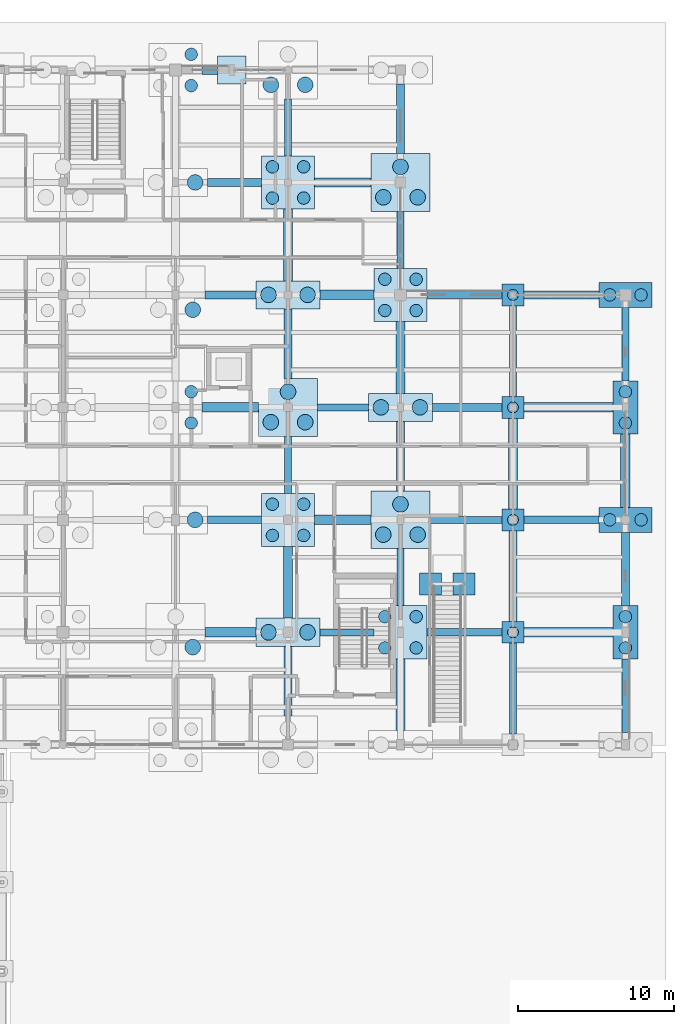
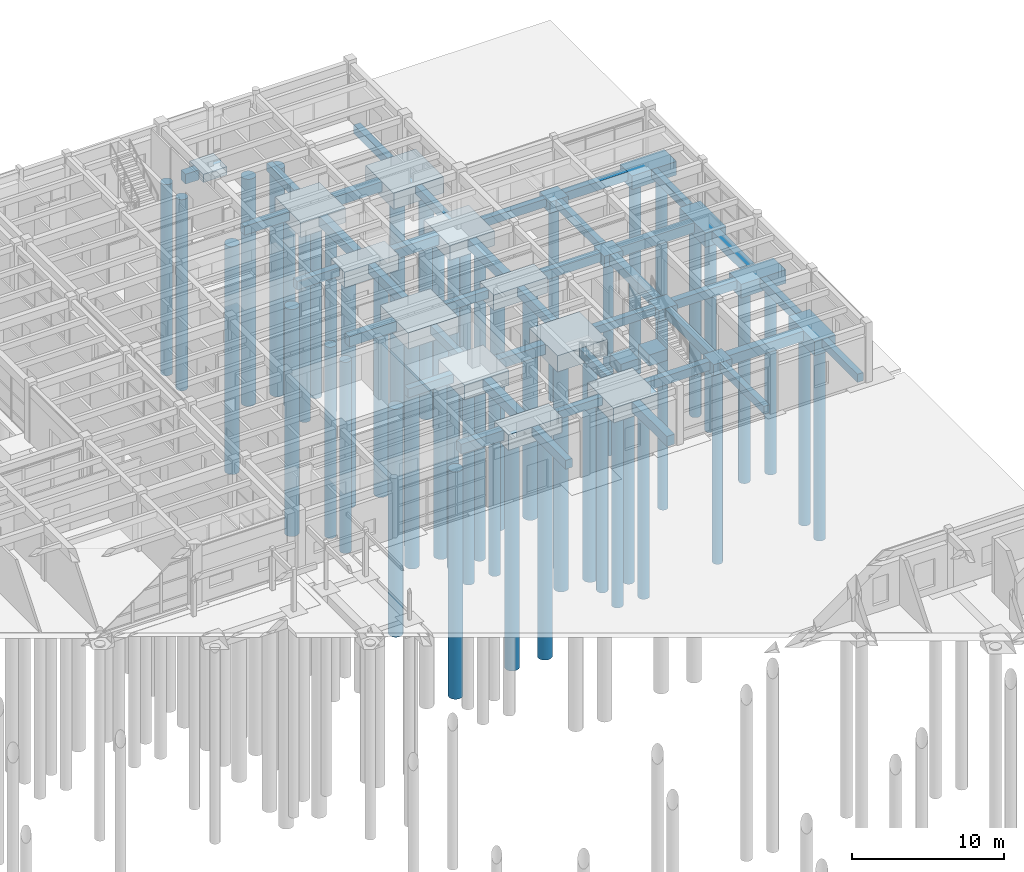
# One storey, part 12 of 143: 60 footings, 53 piles.
"""IFC4 building model written with IfcOpenShell, lengths in metres."""

from ifc_helpers import new_model, si_unit, direction, frame, origin, origin_2d, place, context, subcontext, project, spatial, rectangle, circle, extrude, material, material_profile, profile_set, type_object, element, save


model = new_model("IFC4")

# Units and contexts
model_context = context("Model", 3, precision=1e-05, world=origin(), true_north=direction((0.0, 1.0)))
body_context = subcontext(model_context, "Body", "Model", "MODEL_VIEW")
ifc_project = project(units=[si_unit("LENGTHUNIT", "METRE"), si_unit("AREAUNIT", "SQUARE_METRE"), si_unit("VOLUMEUNIT", "CUBIC_METRE"), si_unit("PLANEANGLEUNIT", "RADIAN"), si_unit("MASSUNIT", "GRAM", prefix="KILO")], contexts=[model_context])

# Site, building, storey
site_placement = place(None, origin())
site = spatial("IfcSite", under=ifc_project, at=site_placement, CompositionType="ELEMENT")
building_placement = place(site_placement, origin())
building = spatial("IfcBuilding", under=site, at=building_placement, Name="Steenspoor Specialist Clinic", CompositionType="ELEMENT")
storey_placement = place(building_placement, origin())
storey = spatial("IfcBuildingStorey", under=building, at=storey_placement, Name="L00", CompositionType="ELEMENT", Elevation=0.0)

# Footings
ifc_material = material(Name="Concrete C35/45", Category="concrete")
footing_type_1 = type_object("IfcFootingType", Name="FTG-PAD-180", PredefinedType="PAD_FOOTING", material=ifc_material)
footing_1_placement = place(storey_placement, frame((136.0, 108.35009765625, -0.64990234375), z_axis=(0.0, 0.0, 1.0), x_axis=(1.0, 0.0, 0.0)))
element("IfcFooting", 1, at=footing_1_placement, inside=storey, type_object=footing_type_1, Name="Pad Footing FTG-PAD-077", PredefinedType="PAD_FOOTING", context=body_context, shape_type="SweptSolid", body=[
    extrude(rectangle(XDim=1.800048828125, YDim=1.800048828125, at=origin_2d()), origin(), (0.0, 0.0, 1.0), 0.64990234375),
])
footing_type_2 = type_object("IfcFootingType", Name="FTG-PC-1P-700", PredefinedType="PILE_CAP", material=ifc_material)
for number, where, z_axis, x_axis, name in (
    (2, (154.0, 72.35009765625, -0.89990234375), (0.0, 0.0, 1.0), (1.0, 0.0, 0.0), "Pile Cap FTG-PC-228"),
    (3, (154.0, 79.550048828125, -0.89990234375), (0.0, 0.0, 1.0), (1.0, 0.0, 0.0), "Pile Cap FTG-PC-229"),
    (4, (154.0, 86.75, -0.89990234375), (0.0, 0.0, 1.0), (1.0, 0.0, 0.0), "Pile Cap FTG-PC-230"),
    (5, (154.0, 93.949951171875, -0.89990234375), (0.0, 0.0, 1.0), (1.0, 0.0, 0.0), "Pile Cap FTG-PC-231"),
    (6, (148.72509765625, 75.449951171875, -0.89990234375), (0.0, 0.0, 1.0), (1.0, 0.0, 0.0), "Feature Stair Pad ST-F04 L"),
    (7, (150.875, 75.449951171875, -0.89990234375), (0.0, 0.0, 1.0), (1.0, 0.0, 0.0), "Feature Stair Pad ST-F04 R"),
):
    element("IfcFooting", number, at=place(storey_placement, frame(where, z_axis=z_axis, x_axis=x_axis)), inside=storey, type_object=footing_type_2, Name=name, PredefinedType="PILE_CAP", context=body_context, shape_type="SweptSolid", body=[
        extrude(rectangle(XDim=1.39990234375, YDim=1.39990234375, at=origin_2d()), origin(), (0.0, 0.0, 1.0), 0.89990234375),
    ])
footing_type_3 = type_object("IfcFootingType", Name="FTG-PC-2P-1000", PredefinedType="PILE_CAP", material=ifc_material)
for number, where, z_axis, x_axis, name in (
    (8, (139.60009765625, 72.35009765625, -1.25), (0.0, 0.0, 1.0), (1.0, 0.0, 0.0), "Pile Cap FTG-PC-214"),
    (9, (139.60009765625, 93.949951171875, -1.25), (0.0, 0.0, 1.0), (1.0, 0.0, 0.0), "Pile Cap FTG-PC-217"),
    (10, (146.800048828125, 86.75, -1.25), (0.0, 0.0, 1.0), (1.0, 0.0, 0.0), "Pile Cap FTG-PC-223"),
):
    element("IfcFooting", number, at=place(storey_placement, frame(where, z_axis=z_axis, x_axis=x_axis)), inside=storey, type_object=footing_type_3, Name=name, PredefinedType="PILE_CAP", context=body_context, shape_type="SweptSolid", body=[
        extrude(rectangle(XDim=4.10009765625, YDim=1.800048828125, at=origin_2d()), origin(), (0.0, 0.0, 1.0), 1.25),
    ])
footing_type_4 = type_object("IfcFootingType", Name="FTG-PC-2P-800X", PredefinedType="PILE_CAP", material=ifc_material)
for number, where, z_axis, x_axis, name in (
    (11, (161.199951171875, 79.550048828125, -1.10009765625), (0.0, 0.0, 1.0), (1.0, 0.0, 0.0), "Pile Cap FTG-PC-234"),
    (12, (161.199951171875, 93.949951171875, -1.10009765625), (0.0, 0.0, 1.0), (1.0, 0.0, 0.0), "Pile Cap FTG-PC-236"),
):
    element("IfcFooting", number, at=place(storey_placement, frame(where, z_axis=z_axis, x_axis=x_axis)), inside=storey, type_object=footing_type_4, Name=name, PredefinedType="PILE_CAP", context=body_context, shape_type="SweptSolid", body=[
        extrude(rectangle(XDim=3.39990234375, YDim=1.60009765625, at=origin_2d()), origin(), (0.0, 0.0, 1.0), 1.10009765625),
    ])
footing_type_5 = type_object("IfcFootingType", Name="FTG-PC-2P-800Y", PredefinedType="PILE_CAP", material=ifc_material)
for number, where, z_axis, x_axis, name in (
    (13, (161.199951171875, 72.35009765625, -1.14990234375), (0.0, 0.0, 1.0), (1.0, 0.0, 0.0), "Pile Cap FTG-PC-233"),
    (14, (161.199951171875, 86.75, -1.14990234375), (0.0, 0.0, 1.0), (1.0, 0.0, 0.0), "Pile Cap FTG-PC-235"),
):
    element("IfcFooting", number, at=place(storey_placement, frame(where, z_axis=z_axis, x_axis=x_axis)), inside=storey, type_object=footing_type_5, Name=name, PredefinedType="PILE_CAP", context=body_context, shape_type="SweptSolid", body=[
        extrude(rectangle(XDim=1.60009765625, YDim=3.39990234375, at=origin_2d()), origin(), (0.0, 0.0, 1.0), 1.14990234375),
    ])
footing_type_6 = type_object("IfcFootingType", Name="FTG-PC-3P-1000", PredefinedType="PILE_CAP", material=ifc_material)
for number, where, z_axis, x_axis, name in (
    (15, (139.60009765625, 86.75, -1.2998046875), (0.0, 0.0, 1.0), (1.0, 0.0, 0.0), "Pile Cap FTG-PC-216"),
    (16, (146.800048828125, 79.550048828125, -1.2998046875), (0.0, 0.0, 1.0), (1.0, 0.0, 0.0), "Pile Cap FTG-PC-222"),
    (17, (146.800048828125, 101.14990234375, -1.2998046875), (0.0, 0.0, 1.0), (1.0, 0.0, 0.0), "Pile Cap FTG-PC-225"),
):
    element("IfcFooting", number, at=place(storey_placement, frame(where, z_axis=z_axis, x_axis=x_axis)), inside=storey, type_object=footing_type_6, Name=name, PredefinedType="PILE_CAP", context=body_context, shape_type="SweptSolid", body=[
        extrude(rectangle(XDim=3.800048828125, YDim=3.699951171875, at=origin_2d()), origin(), (0.0, 0.0, 1.0), 1.300048828125),
    ])
footing_type_7 = type_object("IfcFootingType", Name="FTG-PC-4P-800", PredefinedType="PILE_CAP", material=ifc_material)
for number, where, z_axis, x_axis, name in (
    (18, (139.60009765625, 79.550048828125, -1.2001953125), (0.0, 0.0, 1.0), (1.0, 0.0, 0.0), "Pile Cap FTG-PC-215"),
    (19, (139.60009765625, 101.14990234375, -1.2001953125), (0.0, 0.0, 1.0), (1.0, 0.0, 0.0), "Pile Cap FTG-PC-218"),
    (20, (146.800048828125, 72.35009765625, -1.2001953125), (0.0, 0.0, 1.0), (1.0, 0.0, 0.0), "Pile Cap FTG-PC-221"),
    (21, (146.800048828125, 93.949951171875, -1.2001953125), (0.0, 0.0, 1.0), (1.0, 0.0, 0.0), "Pile Cap FTG-PC-224"),
):
    element("IfcFooting", number, at=place(storey_placement, frame(where, z_axis=z_axis, x_axis=x_axis)), inside=storey, type_object=footing_type_7, Name=name, PredefinedType="PILE_CAP", context=body_context, shape_type="SweptSolid", body=[
        extrude(rectangle(XDim=3.39990234375, YDim=3.39990234375, at=origin_2d()), origin(), (0.0, 0.0, 1.0), 1.199951171875),
    ])
footing_type_8 = type_object("IfcFootingType", Name="FTG-TB-450X650", PredefinedType="FOOTING_BEAM", material=ifc_material)
footing_2_placement = place(storey_placement, frame((143.375, 72.35009765625, -0.64990234375), z_axis=(0.0, 0.0, 1.0), x_axis=(1.0, 0.0, 0.0)))
element("IfcFooting", 22, at=footing_2_placement, inside=storey, type_object=footing_type_8, Name="Seismic Tie Beam FTG-TB-167", PredefinedType="FOOTING_BEAM", context=body_context, shape_type="SweptSolid", body=[
    extrude(rectangle(XDim=3.449951171875, YDim=0.449951171875, at=origin_2d()), origin(), (0.0, 0.0, 1.0), 0.64990234375),
])
footing_3_placement = place(storey_placement, frame((151.0, 79.550048828125, -0.64990234375), z_axis=(0.0, 0.0, 1.0), x_axis=(1.0, 0.0, 0.0)))
element("IfcFooting", 23, at=footing_3_placement, inside=storey, type_object=footing_type_8, Name="Seismic Tie Beam FTG-TB-188", PredefinedType="FOOTING_BEAM", context=body_context, shape_type="SweptSolid", body=[
    extrude(rectangle(XDim=4.60009765625, YDim=0.449951171875, at=origin_2d()), origin(), (0.0, 0.0, 1.0), 0.64990234375),
])
footing_4_placement = place(storey_placement, frame((143.125, 86.75, -0.64990234375), z_axis=(0.0, 0.0, 1.0), x_axis=(1.0, 0.0, 0.0)))
element("IfcFooting", 24, at=footing_4_placement, inside=storey, type_object=footing_type_8, Name="Seismic Tie Beam FTG-TB-203", PredefinedType="FOOTING_BEAM", context=body_context, shape_type="SweptSolid", body=[
    extrude(rectangle(XDim=3.25, YDim=0.449951171875, at=origin_2d()), origin(), (0.0, 0.0, 1.0), 0.64990234375),
])
footing_5_placement = place(storey_placement, frame((150.89990234375, 93.949951171875, -0.64990234375), z_axis=(0.0, 0.0, 1.0), x_axis=(1.0, 0.0, 0.0)))
element("IfcFooting", 25, at=footing_5_placement, inside=storey, type_object=footing_type_8, Name="Seismic Tie Beam FTG-TB-224", PredefinedType="FOOTING_BEAM", context=body_context, shape_type="SweptSolid", body=[
    extrude(rectangle(XDim=4.800048828125, YDim=0.449951171875, at=origin_2d()), origin(), (0.0, 0.0, 1.0), 0.64990234375),
])
for number, where, z_axis, x_axis, name in (
    (26, (139.60009765625, 83.074951171875, -0.64990234375), (0.0, 0.0, 1.0), (1.0, 0.0, 0.0), "Seismic Tie Beam FTG-TB-443"),
    (27, (139.60009765625, 104.675048828125, -0.64990234375), (0.0, 0.0, 1.0), (1.0, 0.0, 0.0), "Seismic Tie Beam FTG-TB-446"),
    (28, (146.800048828125, 75.875, -0.64990234375), (0.0, 0.0, 1.0), (1.0, 0.0, 0.0), "Seismic Tie Beam FTG-TB-452"),
    (29, (146.800048828125, 97.47509765625, -0.64990234375), (0.0, 0.0, 1.0), (1.0, 0.0, 0.0), "Seismic Tie Beam FTG-TB-455"),
):
    element("IfcFooting", number, at=place(storey_placement, frame(where, z_axis=z_axis, x_axis=x_axis)), inside=storey, type_object=footing_type_8, Name=name, PredefinedType="FOOTING_BEAM", context=body_context, shape_type="SweptSolid", body=[
        extrude(rectangle(XDim=0.449951171875, YDim=3.64990234375, at=origin_2d()), origin(), (0.0, 0.0, 1.0), 0.64990234375),
    ])
for number, where, z_axis, x_axis, name in (
    (30, (154.0, 68.75, -0.64990234375), (0.0, 0.0, 1.0), (1.0, 0.0, 0.0), "Seismic Tie Beam FTG-TB-461"),
    (31, (154.0, 90.35009765625, -0.64990234375), (0.0, 0.0, 1.0), (1.0, 0.0, 0.0), "Seismic Tie Beam FTG-TB-464"),
):
    element("IfcFooting", number, at=place(storey_placement, frame(where, z_axis=z_axis, x_axis=x_axis)), inside=storey, type_object=footing_type_8, Name=name, PredefinedType="FOOTING_BEAM", context=body_context, shape_type="SweptSolid", body=[
        extrude(rectangle(XDim=0.449951171875, YDim=5.800048828125, at=origin_2d()), origin(), (0.0, 0.0, 1.0), 0.64990234375),
    ])
for number, where, z_axis, x_axis, name in (
    (32, (161.199951171875, 68.300048828125, -0.64990234375), (0.0, 0.0, 1.0), (1.0, 0.0, 0.0), "Seismic Tie Beam FTG-TB-467"),
    (33, (161.199951171875, 90.800048828125, -0.64990234375), (0.0, 0.0, 1.0), (1.0, 0.0, 0.0), "Seismic Tie Beam FTG-TB-470"),
):
    element("IfcFooting", number, at=place(storey_placement, frame(where, z_axis=z_axis, x_axis=x_axis)), inside=storey, type_object=footing_type_8, Name=name, PredefinedType="FOOTING_BEAM", context=body_context, shape_type="SweptSolid", body=[
        extrude(rectangle(XDim=0.449951171875, YDim=4.699951171875, at=origin_2d()), origin(), (0.0, 0.0, 1.0), 0.64990234375),
    ])
footing_type_9 = type_object("IfcFootingType", Name="FTG-TB-500X700", PredefinedType="FOOTING_BEAM", material=ifc_material)
footing_6_placement = place(storey_placement, frame((150.89990234375, 72.35009765625, -0.7001953125), z_axis=(0.0, 0.0, 1.0), x_axis=(1.0, 0.0, 0.0)))
element("IfcFooting", 34, at=footing_6_placement, inside=storey, type_object=footing_type_9, Name="Seismic Tie Beam FTG-TB-168", PredefinedType="FOOTING_BEAM", context=body_context, shape_type="SweptSolid", body=[
    extrude(rectangle(XDim=4.800048828125, YDim=0.5, at=origin_2d()), origin(), (0.0, 0.0, 1.0), 0.699951171875),
])
footing_7_placement = place(storey_placement, frame((136.175048828125, 79.550048828125, -0.7001953125), z_axis=(0.0, 0.0, 1.0), x_axis=(1.0, 0.0, 0.0)))
element("IfcFooting", 35, at=footing_7_placement, inside=storey, type_object=footing_type_9, Name="Seismic Tie Beam FTG-TB-186", PredefinedType="FOOTING_BEAM", context=body_context, shape_type="SweptSolid", body=[
    extrude(rectangle(XDim=3.449951171875, YDim=0.5, at=origin_2d()), origin(), (0.0, 0.0, 1.0), 0.699951171875),
])
footing_8_placement = place(storey_placement, frame((157.10009765625, 79.550048828125, -0.7001953125), z_axis=(0.0, 0.0, 1.0), x_axis=(1.0, 0.0, 0.0)))
element("IfcFooting", 36, at=footing_8_placement, inside=storey, type_object=footing_type_9, Name="Seismic Tie Beam FTG-TB-189", PredefinedType="FOOTING_BEAM", context=body_context, shape_type="SweptSolid", body=[
    extrude(rectangle(XDim=4.800048828125, YDim=0.5, at=origin_2d()), origin(), (0.0, 0.0, 1.0), 0.699951171875),
])
footing_9_placement = place(storey_placement, frame((151.074951171875, 86.75, -0.7001953125), z_axis=(0.0, 0.0, 1.0), x_axis=(1.0, 0.0, 0.0)))
element("IfcFooting", 37, at=footing_9_placement, inside=storey, type_object=footing_type_9, Name="Seismic Tie Beam FTG-TB-204", PredefinedType="FOOTING_BEAM", context=body_context, shape_type="SweptSolid", body=[
    extrude(rectangle(XDim=4.449951171875, YDim=0.5, at=origin_2d()), origin(), (0.0, 0.0, 1.0), 0.699951171875),
])
footing_10_placement = place(storey_placement, frame((135.925048828125, 93.949951171875, -0.7001953125), z_axis=(0.0, 0.0, 1.0), x_axis=(1.0, 0.0, 0.0)))
element("IfcFooting", 38, at=footing_10_placement, inside=storey, type_object=footing_type_9, Name="Seismic Tie Beam FTG-TB-222", PredefinedType="FOOTING_BEAM", context=body_context, shape_type="SweptSolid", body=[
    extrude(rectangle(XDim=3.25, YDim=0.5, at=origin_2d()), origin(), (0.0, 0.0, 1.0), 0.699951171875),
])
footing_11_placement = place(storey_placement, frame((157.10009765625, 93.949951171875, -0.7001953125), z_axis=(0.0, 0.0, 1.0), x_axis=(1.0, 0.0, 0.0)))
element("IfcFooting", 39, at=footing_11_placement, inside=storey, type_object=footing_type_9, Name="Seismic Tie Beam FTG-TB-225", PredefinedType="FOOTING_BEAM", context=body_context, shape_type="SweptSolid", body=[
    extrude(rectangle(XDim=4.800048828125, YDim=0.5, at=origin_2d()), origin(), (0.0, 0.0, 1.0), 0.699951171875),
])
footing_12_placement = place(storey_placement, frame((136.175048828125, 101.14990234375, -0.7001953125), z_axis=(0.0, 0.0, 1.0), x_axis=(1.0, 0.0, 0.0)))
element("IfcFooting", 40, at=footing_12_placement, inside=storey, type_object=footing_type_9, Name="Seismic Tie Beam FTG-TB-240", PredefinedType="FOOTING_BEAM", context=body_context, shape_type="SweptSolid", body=[
    extrude(rectangle(XDim=3.449951171875, YDim=0.5, at=origin_2d()), origin(), (0.0, 0.0, 1.0), 0.699951171875),
])
for number, where, z_axis, x_axis, name in (
    (41, (139.60009765625, 69.22509765625, -0.7001953125), (0.0, 0.0, 1.0), (1.0, 0.0, 0.0), "Seismic Tie Beam FTG-TB-441"),
    (42, (139.60009765625, 90.824951171875, -0.7001953125), (0.0, 0.0, 1.0), (1.0, 0.0, 0.0), "Seismic Tie Beam FTG-TB-444"),
    (43, (146.800048828125, 83.625, -0.7001953125), (0.0, 0.0, 1.0), (1.0, 0.0, 0.0), "Seismic Tie Beam FTG-TB-453"),
    (44, (146.800048828125, 105.22509765625, -0.7001953125), (0.0, 0.0, 1.0), (1.0, 0.0, 0.0), "Seismic Tie Beam FTG-TB-456"),
):
    element("IfcFooting", number, at=place(storey_placement, frame(where, z_axis=z_axis, x_axis=x_axis)), inside=storey, type_object=footing_type_9, Name=name, PredefinedType="FOOTING_BEAM", context=body_context, shape_type="SweptSolid", body=[
        extrude(rectangle(XDim=0.5, YDim=4.449951171875, at=origin_2d()), origin(), (0.0, 0.0, 1.0), 0.699951171875),
    ])
footing_13_placement = place(storey_placement, frame((154.0, 75.949951171875, -0.7001953125), z_axis=(0.0, 0.0, 1.0), x_axis=(1.0, 0.0, 0.0)))
element("IfcFooting", 45, at=footing_13_placement, inside=storey, type_object=footing_type_9, Name="Seismic Tie Beam FTG-TB-462", PredefinedType="FOOTING_BEAM", context=body_context, shape_type="SweptSolid", body=[
    extrude(rectangle(XDim=0.5, YDim=5.800048828125, at=origin_2d()), origin(), (0.0, 0.0, 1.0), 0.699951171875),
])
footing_14_placement = place(storey_placement, frame((161.199951171875, 76.39990234375, -0.7001953125), z_axis=(0.0, 0.0, 1.0), x_axis=(1.0, 0.0, 0.0)))
element("IfcFooting", 46, at=footing_14_placement, inside=storey, type_object=footing_type_9, Name="Seismic Tie Beam FTG-TB-468", PredefinedType="FOOTING_BEAM", context=body_context, shape_type="SweptSolid", body=[
    extrude(rectangle(XDim=0.5, YDim=4.699951171875, at=origin_2d()), origin(), (0.0, 0.0, 1.0), 0.699951171875),
])
footing_type_10 = type_object("IfcFootingType", Name="FTG-TB-600X800", PredefinedType="FOOTING_BEAM", material=ifc_material)
footing_15_placement = place(storey_placement, frame((135.925048828125, 72.35009765625, -0.7998046875), z_axis=(0.0, 0.0, 1.0), x_axis=(1.0, 0.0, 0.0)))
element("IfcFooting", 47, at=footing_15_placement, inside=storey, type_object=footing_type_10, Name="Seismic Tie Beam FTG-TB-166", PredefinedType="FOOTING_BEAM", context=body_context, shape_type="SweptSolid", body=[
    extrude(rectangle(XDim=3.25, YDim=0.60009765625, at=origin_2d()), origin(), (0.0, 0.0, 1.0), 0.800048828125),
])
footing_16_placement = place(storey_placement, frame((157.550048828125, 72.35009765625, -0.7998046875), z_axis=(0.0, 0.0, 1.0), x_axis=(1.0, 0.0, 0.0)))
element("IfcFooting", 48, at=footing_16_placement, inside=storey, type_object=footing_type_10, Name="Seismic Tie Beam FTG-TB-169", PredefinedType="FOOTING_BEAM", context=body_context, shape_type="SweptSolid", body=[
    extrude(rectangle(XDim=5.699951171875, YDim=0.60009765625, at=origin_2d()), origin(), (0.0, 0.0, 1.0), 0.800048828125),
])
for number, where, z_axis, x_axis, name in (
    (49, (143.10009765625, 79.550048828125, -0.7998046875), (0.0, 0.0, 1.0), (1.0, 0.0, 0.0), "Seismic Tie Beam FTG-TB-187"),
    (50, (135.89990234375, 86.75, -0.7998046875), (0.0, 0.0, 1.0), (1.0, 0.0, 0.0), "Seismic Tie Beam FTG-TB-202"),
):
    element("IfcFooting", number, at=place(storey_placement, frame(where, z_axis=z_axis, x_axis=x_axis)), inside=storey, type_object=footing_type_10, Name=name, PredefinedType="FOOTING_BEAM", context=body_context, shape_type="SweptSolid", body=[
        extrude(rectangle(XDim=3.60009765625, YDim=0.60009765625, at=origin_2d()), origin(), (0.0, 0.0, 1.0), 0.800048828125),
    ])
footing_17_placement = place(storey_placement, frame((157.550048828125, 86.75, -0.7998046875), z_axis=(0.0, 0.0, 1.0), x_axis=(1.0, 0.0, 0.0)))
element("IfcFooting", 51, at=footing_17_placement, inside=storey, type_object=footing_type_10, Name="Seismic Tie Beam FTG-TB-205", PredefinedType="FOOTING_BEAM", context=body_context, shape_type="SweptSolid", body=[
    extrude(rectangle(XDim=5.699951171875, YDim=0.60009765625, at=origin_2d()), origin(), (0.0, 0.0, 1.0), 0.800048828125),
])
footing_18_placement = place(storey_placement, frame((143.375, 93.949951171875, -0.7998046875), z_axis=(0.0, 0.0, 1.0), x_axis=(1.0, 0.0, 0.0)))
element("IfcFooting", 52, at=footing_18_placement, inside=storey, type_object=footing_type_10, Name="Seismic Tie Beam FTG-TB-223", PredefinedType="FOOTING_BEAM", context=body_context, shape_type="SweptSolid", body=[
    extrude(rectangle(XDim=3.449951171875, YDim=0.60009765625, at=origin_2d()), origin(), (0.0, 0.0, 1.0), 0.800048828125),
])
footing_19_placement = place(storey_placement, frame((143.10009765625, 101.14990234375, -0.7998046875), z_axis=(0.0, 0.0, 1.0), x_axis=(1.0, 0.0, 0.0)))
element("IfcFooting", 53, at=footing_19_placement, inside=storey, type_object=footing_type_10, Name="Seismic Tie Beam FTG-TB-241", PredefinedType="FOOTING_BEAM", context=body_context, shape_type="SweptSolid", body=[
    extrude(rectangle(XDim=3.60009765625, YDim=0.60009765625, at=origin_2d()), origin(), (0.0, 0.0, 1.0), 0.800048828125),
])
footing_20_placement = place(storey_placement, frame((134.60009765625, 108.35009765625, -0.7998046875), z_axis=(0.0, 0.0, 1.0), x_axis=(1.0, 0.0, 0.0)))
element("IfcFooting", 54, at=footing_20_placement, inside=storey, type_object=footing_type_10, Name="Seismic Tie Beam FTG-TB-259", PredefinedType="FOOTING_BEAM", context=body_context, shape_type="SweptSolid", body=[
    extrude(rectangle(XDim=1.0, YDim=0.60009765625, at=origin_2d()), origin(), (0.0, 0.0, 1.0), 0.800048828125),
])
for number, where, z_axis, x_axis, name in (
    (55, (139.60009765625, 75.550048828125, -0.7998046875), (0.0, 0.0, 1.0), (1.0, 0.0, 0.0), "Seismic Tie Beam FTG-TB-442"),
    (56, (139.60009765625, 97.14990234375, -0.7998046875), (0.0, 0.0, 1.0), (1.0, 0.0, 0.0), "Seismic Tie Beam FTG-TB-445"),
    (57, (146.800048828125, 68.35009765625, -0.7998046875), (0.0, 0.0, 1.0), (1.0, 0.0, 0.0), "Seismic Tie Beam FTG-TB-451"),
    (58, (146.800048828125, 89.949951171875, -0.7998046875), (0.0, 0.0, 1.0), (1.0, 0.0, 0.0), "Seismic Tie Beam FTG-TB-454"),
):
    element("IfcFooting", number, at=place(storey_placement, frame(where, z_axis=z_axis, x_axis=x_axis)), inside=storey, type_object=footing_type_10, Name=name, PredefinedType="FOOTING_BEAM", context=body_context, shape_type="SweptSolid", body=[
        extrude(rectangle(XDim=0.60009765625, YDim=4.60009765625, at=origin_2d()), origin(), (0.0, 0.0, 1.0), 0.800048828125),
    ])
footing_21_placement = place(storey_placement, frame((154.0, 83.14990234375, -0.7998046875), z_axis=(0.0, 0.0, 1.0), x_axis=(1.0, 0.0, 0.0)))
element("IfcFooting", 59, at=footing_21_placement, inside=storey, type_object=footing_type_10, Name="Seismic Tie Beam FTG-TB-463", PredefinedType="FOOTING_BEAM", context=body_context, shape_type="SweptSolid", body=[
    extrude(rectangle(XDim=0.60009765625, YDim=5.800048828125, at=origin_2d()), origin(), (0.0, 0.0, 1.0), 0.800048828125),
])
footing_22_placement = place(storey_placement, frame((161.199951171875, 82.699951171875, -0.7998046875), z_axis=(0.0, 0.0, 1.0), x_axis=(1.0, 0.0, 0.0)))
element("IfcFooting", 60, at=footing_22_placement, inside=storey, type_object=footing_type_10, Name="Seismic Tie Beam FTG-TB-469", PredefinedType="FOOTING_BEAM", context=body_context, shape_type="SweptSolid", body=[
    extrude(rectangle(XDim=0.60009765625, YDim=4.699951171875, at=origin_2d()), origin(), (0.0, 0.0, 1.0), 0.800048828125),
])

# Piles
ifc_material_profile_1 = material_profile(ifc_material, circle(Radius=0.5, at=origin_2d()), Name="PILE-D1000")
ifc_profile_set_1 = profile_set([ifc_material_profile_1], Name="Concrete C35/45")
pile_type_1 = type_object("IfcPileType", Name="PILE-RC-D1000", PredefinedType="BORED", material=ifc_profile_set_1)
pile_1_placement = place(storey_placement, frame((133.5, 71.39990234375, -1.199951171875), z_axis=(0.0, 0.0, -1.0), x_axis=(1.0, 0.0, 0.0)))
element("IfcPile", 61, at=pile_1_placement, inside=storey, type_object=pile_type_1, Name="Bored Pile PILE-0535", PredefinedType="BORED", context=body_context, shape_type="SweptSolid", body=[
    extrude(circle(Radius=0.5, at=origin_2d()), origin(), (0.0, 0.0, 1.0), 18.300048828125),
])
pile_2_placement = place(storey_placement, frame((133.64990234375, 79.550048828125, -1.14990234375), z_axis=(0.0, 0.0, -1.0), x_axis=(1.0, 0.0, 0.0)))
element("IfcPile", 62, at=pile_2_placement, inside=storey, type_object=pile_type_1, Name="Bored Pile PILE-0538", PredefinedType="BORED", context=body_context, shape_type="SweptSolid", body=[
    extrude(circle(Radius=0.5, at=origin_2d()), origin(), (0.0, 0.0, 1.0), 18.35009765625),
])
pile_3_placement = place(storey_placement, frame((133.5, 93.0, -1.199951171875), z_axis=(0.0, 0.0, -1.0), x_axis=(1.0, 0.0, 0.0)))
element("IfcPile", 63, at=pile_3_placement, inside=storey, type_object=pile_type_1, Name="Bored Pile PILE-0544", PredefinedType="BORED", context=body_context, shape_type="SweptSolid", body=[
    extrude(circle(Radius=0.5, at=origin_2d()), origin(), (0.0, 0.0, 1.0), 18.300048828125),
])
for number, where, z_axis, x_axis, name in (
    (64, (133.64990234375, 101.14990234375, -1.14990234375), (0.0, 0.0, -1.0), (1.0, 0.0, 0.0), "Bored Pile PILE-0547"),
    (65, (138.35009765625, 72.35009765625, -1.14990234375), (0.0, 0.0, -1.0), (1.0, 0.0, 0.0), "Bored Pile PILE-0555"),
    (66, (140.85009765625, 72.35009765625, -1.14990234375), (0.0, 0.0, -1.0), (1.0, 0.0, 0.0), "Bored Pile PILE-0556"),
):
    element("IfcPile", number, at=place(storey_placement, frame(where, z_axis=z_axis, x_axis=x_axis)), inside=storey, type_object=pile_type_1, Name=name, PredefinedType="BORED", context=body_context, shape_type="SweptSolid", body=[
        extrude(circle(Radius=0.5, at=origin_2d()), origin(), (0.0, 0.0, 1.0), 18.35009765625),
    ])
for number, where, z_axis, x_axis, name in (
    (67, (138.5, 85.800048828125, -1.199951171875), (0.0, 0.0, -1.0), (1.0, 0.0, 0.0), "Bored Pile PILE-0561"),
    (68, (140.699951171875, 85.800048828125, -1.199951171875), (0.0, 0.0, -1.0), (1.0, 0.0, 0.0), "Bored Pile PILE-0562"),
    (69, (139.60009765625, 87.75, -1.199951171875), (0.0, 0.0, -1.0), (1.0, 0.0, 0.0), "Bored Pile PILE-0563"),
):
    element("IfcPile", number, at=place(storey_placement, frame(where, z_axis=z_axis, x_axis=x_axis)), inside=storey, type_object=pile_type_1, Name=name, PredefinedType="BORED", context=body_context, shape_type="SweptSolid", body=[
        extrude(circle(Radius=0.5, at=origin_2d()), origin(), (0.0, 0.0, 1.0), 18.300048828125),
    ])
for number, where, z_axis, x_axis, name in (
    (70, (138.35009765625, 93.949951171875, -1.14990234375), (0.0, 0.0, -1.0), (1.0, 0.0, 0.0), "Bored Pile PILE-0564"),
    (71, (140.85009765625, 93.949951171875, -1.14990234375), (0.0, 0.0, -1.0), (1.0, 0.0, 0.0), "Bored Pile PILE-0565"),
):
    element("IfcPile", number, at=place(storey_placement, frame(where, z_axis=z_axis, x_axis=x_axis)), inside=storey, type_object=pile_type_1, Name=name, PredefinedType="BORED", context=body_context, shape_type="SweptSolid", body=[
        extrude(circle(Radius=0.5, at=origin_2d()), origin(), (0.0, 0.0, 1.0), 18.35009765625),
    ])
for number, where, z_axis, x_axis, name in (
    (72, (138.5, 107.39990234375, -1.199951171875), (0.0, 0.0, -1.0), (1.0, 0.0, 0.0), "Bored Pile PILE-0570"),
    (73, (140.699951171875, 107.39990234375, -1.199951171875), (0.0, 0.0, -1.0), (1.0, 0.0, 0.0), "Bored Pile PILE-0571"),
    (74, (145.699951171875, 78.60009765625, -1.199951171875), (0.0, 0.0, -1.0), (1.0, 0.0, 0.0), "Bored Pile PILE-0579"),
    (75, (147.89990234375, 78.60009765625, -1.199951171875), (0.0, 0.0, -1.0), (1.0, 0.0, 0.0), "Bored Pile PILE-0580"),
    (76, (146.800048828125, 80.550048828125, -1.199951171875), (0.0, 0.0, -1.0), (1.0, 0.0, 0.0), "Bored Pile PILE-0581"),
):
    element("IfcPile", number, at=place(storey_placement, frame(where, z_axis=z_axis, x_axis=x_axis)), inside=storey, type_object=pile_type_1, Name=name, PredefinedType="BORED", context=body_context, shape_type="SweptSolid", body=[
        extrude(circle(Radius=0.5, at=origin_2d()), origin(), (0.0, 0.0, 1.0), 18.300048828125),
    ])
for number, where, z_axis, x_axis, name in (
    (77, (145.550048828125, 86.75, -1.14990234375), (0.0, 0.0, -1.0), (1.0, 0.0, 0.0), "Bored Pile PILE-0582"),
    (78, (148.050048828125, 86.75, -1.14990234375), (0.0, 0.0, -1.0), (1.0, 0.0, 0.0), "Bored Pile PILE-0583"),
):
    element("IfcPile", number, at=place(storey_placement, frame(where, z_axis=z_axis, x_axis=x_axis)), inside=storey, type_object=pile_type_1, Name=name, PredefinedType="BORED", context=body_context, shape_type="SweptSolid", body=[
        extrude(circle(Radius=0.5, at=origin_2d()), origin(), (0.0, 0.0, 1.0), 18.35009765625),
    ])
for number, where, z_axis, x_axis, name in (
    (79, (145.699951171875, 100.199951171875, -1.199951171875), (0.0, 0.0, -1.0), (1.0, 0.0, 0.0), "Bored Pile PILE-0588"),
    (80, (147.89990234375, 100.199951171875, -1.199951171875), (0.0, 0.0, -1.0), (1.0, 0.0, 0.0), "Bored Pile PILE-0589"),
    (81, (146.800048828125, 102.14990234375, -1.199951171875), (0.0, 0.0, -1.0), (1.0, 0.0, 0.0), "Bored Pile PILE-0590"),
):
    element("IfcPile", number, at=place(storey_placement, frame(where, z_axis=z_axis, x_axis=x_axis)), inside=storey, type_object=pile_type_1, Name=name, PredefinedType="BORED", context=body_context, shape_type="SweptSolid", body=[
        extrude(circle(Radius=0.5, at=origin_2d()), origin(), (0.0, 0.0, 1.0), 18.300048828125),
    ])
ifc_material_profile_2 = material_profile(ifc_material, circle(Radius=0.35009765625, at=origin_2d()), Name="PILE-D700")
ifc_profile_set_2 = profile_set([ifc_material_profile_2], Name="Concrete C35/45")
pile_type_2 = type_object("IfcPileType", Name="PILE-RC-D700", PredefinedType="BORED", material=ifc_profile_set_2)
for number, where, z_axis, x_axis, name in (
    (82, (154.0, 72.35009765625, -0.800048828125), (0.0, 0.0, -1.0), (1.0, 0.0, 0.0), "Bored Pile PILE-0594"),
    (83, (154.0, 79.550048828125, -0.800048828125), (0.0, 0.0, -1.0), (1.0, 0.0, 0.0), "Bored Pile PILE-0595"),
    (84, (154.0, 86.75, -0.800048828125), (0.0, 0.0, -1.0), (1.0, 0.0, 0.0), "Bored Pile PILE-0596"),
    (85, (154.0, 93.949951171875, -0.800048828125), (0.0, 0.0, -1.0), (1.0, 0.0, 0.0), "Bored Pile PILE-0597"),
):
    element("IfcPile", number, at=place(storey_placement, frame(where, z_axis=z_axis, x_axis=x_axis)), inside=storey, type_object=pile_type_2, Name=name, PredefinedType="BORED", context=body_context, shape_type="SweptSolid", body=[
        extrude(circle(Radius=0.35009765625, at=origin_2d()), origin(), (0.0, 0.0, 1.0), 15.699951171875),
    ])
ifc_material_profile_3 = material_profile(ifc_material, circle(Radius=0.39990234375, at=origin_2d()), Name="PILE-D800")
ifc_profile_set_3 = profile_set([ifc_material_profile_3], Name="Concrete C35/45")
pile_type_3 = type_object("IfcPileType", Name="PILE-RC-D800", PredefinedType="BORED", material=ifc_profile_set_3)
for number, where, z_axis, x_axis, name in (
    (86, (133.39990234375, 85.75, -1.10009765625), (0.0, 0.0, -1.0), (1.0, 0.0, 0.0), "Bored Pile PILE-0540"),
    (87, (133.39990234375, 87.75, -1.10009765625), (0.0, 0.0, -1.0), (1.0, 0.0, 0.0), "Bored Pile PILE-0542"),
    (88, (133.39990234375, 107.35009765625, -1.10009765625), (0.0, 0.0, -1.0), (1.0, 0.0, 0.0), "Bored Pile PILE-0549"),
    (89, (133.39990234375, 109.35009765625, -1.10009765625), (0.0, 0.0, -1.0), (1.0, 0.0, 0.0), "Bored Pile PILE-0551"),
    (90, (138.60009765625, 78.550048828125, -1.10009765625), (0.0, 0.0, -1.0), (1.0, 0.0, 0.0), "Bored Pile PILE-0557"),
    (91, (140.60009765625, 78.550048828125, -1.10009765625), (0.0, 0.0, -1.0), (1.0, 0.0, 0.0), "Bored Pile PILE-0558"),
    (92, (138.60009765625, 80.550048828125, -1.10009765625), (0.0, 0.0, -1.0), (1.0, 0.0, 0.0), "Bored Pile PILE-0559"),
    (93, (140.60009765625, 80.550048828125, -1.10009765625), (0.0, 0.0, -1.0), (1.0, 0.0, 0.0), "Bored Pile PILE-0560"),
    (94, (138.60009765625, 100.14990234375, -1.10009765625), (0.0, 0.0, -1.0), (1.0, 0.0, 0.0), "Bored Pile PILE-0566"),
    (95, (140.60009765625, 100.14990234375, -1.10009765625), (0.0, 0.0, -1.0), (1.0, 0.0, 0.0), "Bored Pile PILE-0567"),
    (96, (138.60009765625, 102.14990234375, -1.10009765625), (0.0, 0.0, -1.0), (1.0, 0.0, 0.0), "Bored Pile PILE-0568"),
    (97, (140.60009765625, 102.14990234375, -1.10009765625), (0.0, 0.0, -1.0), (1.0, 0.0, 0.0), "Bored Pile PILE-0569"),
    (98, (145.800048828125, 71.35009765625, -1.10009765625), (0.0, 0.0, -1.0), (1.0, 0.0, 0.0), "Bored Pile PILE-0575"),
    (99, (147.800048828125, 71.35009765625, -1.10009765625), (0.0, 0.0, -1.0), (1.0, 0.0, 0.0), "Bored Pile PILE-0576"),
    (100, (145.800048828125, 73.35009765625, -1.10009765625), (0.0, 0.0, -1.0), (1.0, 0.0, 0.0), "Bored Pile PILE-0577"),
    (101, (147.800048828125, 73.35009765625, -1.10009765625), (0.0, 0.0, -1.0), (1.0, 0.0, 0.0), "Bored Pile PILE-0578"),
    (102, (145.800048828125, 92.949951171875, -1.10009765625), (0.0, 0.0, -1.0), (1.0, 0.0, 0.0), "Bored Pile PILE-0584"),
    (103, (147.800048828125, 92.949951171875, -1.10009765625), (0.0, 0.0, -1.0), (1.0, 0.0, 0.0), "Bored Pile PILE-0585"),
    (104, (145.800048828125, 94.949951171875, -1.10009765625), (0.0, 0.0, -1.0), (1.0, 0.0, 0.0), "Bored Pile PILE-0586"),
    (105, (147.800048828125, 94.949951171875, -1.10009765625), (0.0, 0.0, -1.0), (1.0, 0.0, 0.0), "Bored Pile PILE-0587"),
):
    element("IfcPile", number, at=place(storey_placement, frame(where, z_axis=z_axis, x_axis=x_axis)), inside=storey, type_object=pile_type_3, Name=name, PredefinedType="BORED", context=body_context, shape_type="SweptSolid", body=[
        extrude(circle(Radius=0.39990234375, at=origin_2d()), origin(), (0.0, 0.0, 1.0), 15.39990234375),
    ])
for number, where, z_axis, x_axis, name in (
    (106, (161.199951171875, 71.35009765625, -1.050048828125), (0.0, 0.0, -1.0), (1.0, 0.0, 0.0), "Bored Pile PILE-0600"),
    (107, (161.199951171875, 73.35009765625, -1.050048828125), (0.0, 0.0, -1.0), (1.0, 0.0, 0.0), "Bored Pile PILE-0601"),
):
    element("IfcPile", number, at=place(storey_placement, frame(where, z_axis=z_axis, x_axis=x_axis)), inside=storey, type_object=pile_type_3, Name=name, PredefinedType="BORED", context=body_context, shape_type="SweptSolid", body=[
        extrude(circle(Radius=0.39990234375, at=origin_2d()), origin(), (0.0, 0.0, 1.0), 15.449951171875),
    ])
for number, where, z_axis, x_axis, name in (
    (108, (160.199951171875, 79.550048828125, -1.0), (0.0, 0.0, -1.0), (1.0, 0.0, 0.0), "Bored Pile PILE-0602"),
    (109, (162.199951171875, 79.550048828125, -1.0), (0.0, 0.0, -1.0), (1.0, 0.0, 0.0), "Bored Pile PILE-0603"),
):
    element("IfcPile", number, at=place(storey_placement, frame(where, z_axis=z_axis, x_axis=x_axis)), inside=storey, type_object=pile_type_3, Name=name, PredefinedType="BORED", context=body_context, shape_type="SweptSolid", body=[
        extrude(circle(Radius=0.39990234375, at=origin_2d()), origin(), (0.0, 0.0, 1.0), 15.5),
    ])
for number, where, z_axis, x_axis, name in (
    (110, (161.199951171875, 85.75, -1.050048828125), (0.0, 0.0, -1.0), (1.0, 0.0, 0.0), "Bored Pile PILE-0604"),
    (111, (161.199951171875, 87.75, -1.050048828125), (0.0, 0.0, -1.0), (1.0, 0.0, 0.0), "Bored Pile PILE-0605"),
):
    element("IfcPile", number, at=place(storey_placement, frame(where, z_axis=z_axis, x_axis=x_axis)), inside=storey, type_object=pile_type_3, Name=name, PredefinedType="BORED", context=body_context, shape_type="SweptSolid", body=[
        extrude(circle(Radius=0.39990234375, at=origin_2d()), origin(), (0.0, 0.0, 1.0), 15.449951171875),
    ])
for number, where, z_axis, x_axis, name in (
    (112, (160.199951171875, 93.949951171875, -1.0), (0.0, 0.0, -1.0), (1.0, 0.0, 0.0), "Bored Pile PILE-0606"),
    (113, (162.199951171875, 93.949951171875, -1.0), (0.0, 0.0, -1.0), (1.0, 0.0, 0.0), "Bored Pile PILE-0607"),
):
    element("IfcPile", number, at=place(storey_placement, frame(where, z_axis=z_axis, x_axis=x_axis)), inside=storey, type_object=pile_type_3, Name=name, PredefinedType="BORED", context=body_context, shape_type="SweptSolid", body=[
        extrude(circle(Radius=0.39990234375, at=origin_2d()), origin(), (0.0, 0.0, 1.0), 15.5),
    ])

save(model, "model.ifc")
